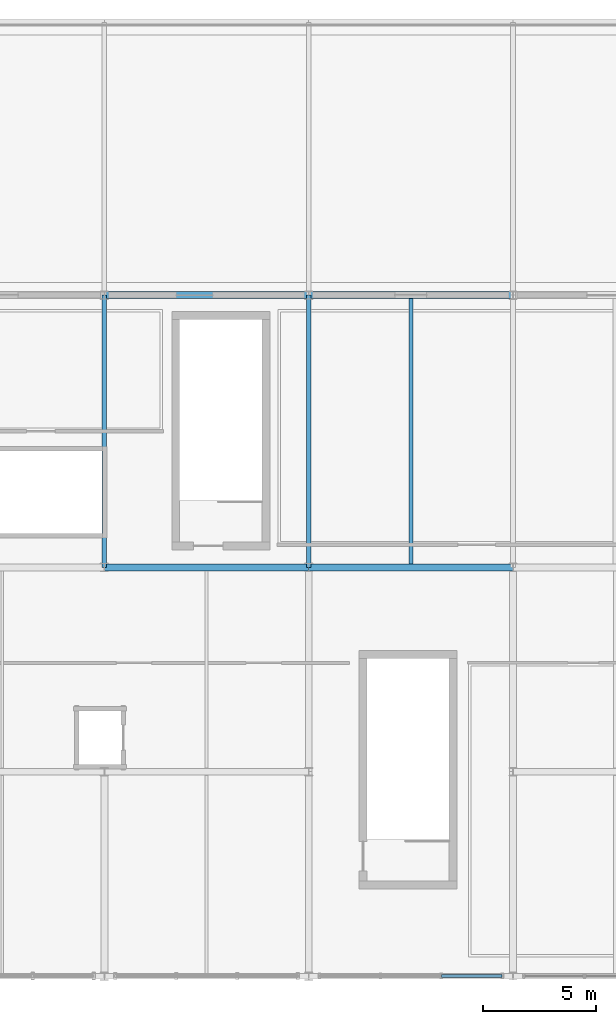
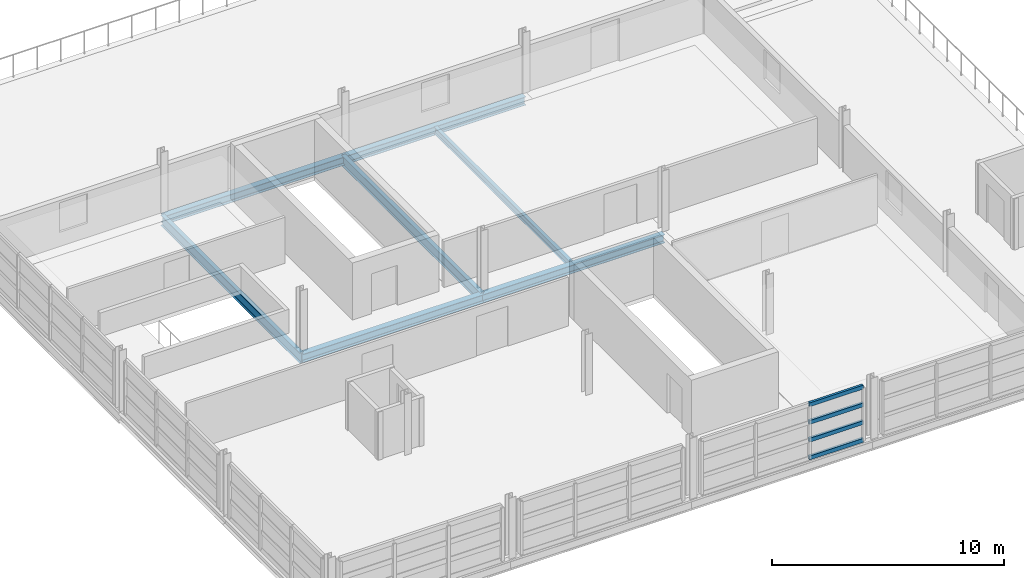
# One storey, part 35 of 86: 7 beams, 4 members, 1 element without a shape of its own.
"""IFC4 building model written with IfcOpenShell, lengths in metres."""

from ifc_helpers import new_model, si_unit, direction, frame, origin, origin_2d, place, context, subcontext, project, spatial, hollow_rectangle, i_section, extrude, material, material_profile, profile_set, type_object, element, aggregate, save


model = new_model("IFC4")

# Units and contexts
model_context = context("Model", 3, precision=1e-05, world=origin(), true_north=direction((0.0, 1.0)))
body_context = subcontext(model_context, "Body", "Model", "MODEL_VIEW")
ifc_project = project(units=[si_unit("LENGTHUNIT", "METRE"), si_unit("AREAUNIT", "SQUARE_METRE"), si_unit("VOLUMEUNIT", "CUBIC_METRE"), si_unit("PLANEANGLEUNIT", "RADIAN"), si_unit("MASSUNIT", "GRAM", prefix="KILO")], contexts=[model_context])

# Site, building, storey
site_placement = place(None, origin())
site = spatial("IfcSite", under=ifc_project, at=site_placement, CompositionType="ELEMENT")
building_placement = place(site_placement, origin())
building = spatial("IfcBuilding", under=site, at=building_placement, Name="Chuanluo Vaults Station", CompositionType="ELEMENT")
storey_placement = place(building_placement, frame((0.0, 0.0, 14.39990234375)))
storey = spatial("IfcBuildingStorey", under=building, at=storey_placement, Name="L03", CompositionType="ELEMENT", Elevation=14.39990234375)

# Beams
ifc_material_1 = material(Name="Steel Q355C", Category="steel")
ifc_material_profile_1 = material_profile(ifc_material_1, i_section(OverallWidth=0.300048828125, OverallDepth=0.43994140625, WebThickness=0.010986328125, FlangeThickness=0.01806640625, FilletRadius=0.02001953125, at=origin_2d()))
ifc_profile_set_1 = profile_set([ifc_material_profile_1], Name="Steel Q355C")
beam_type_1 = type_object("IfcBeamType", Name="BM-GRD-450", PredefinedType="USERDEFINED", material=ifc_profile_set_1)
for number, where, z_axis, x_axis, name in (
    (1, (145.0, 18.0, -0.419921875), (1.0, 0.0, 0.0), (0.0, 1.0, 0.0), "Floor girder BM:GX:L03:0720"),
    (2, (154.0, 18.0, -0.419921875), (1.0, 0.0, 0.0), (0.0, 1.0, 0.0), "Floor girder BM:GX:L03:0721"),
    (3, (145.0, 30.0, -0.449951171875), (1.0, 0.0, 0.0), (0.0, 1.0, 0.0), "Floor girder BM:GX:L03:0725"),
    (4, (154.0, 30.0, -0.449951171875), (1.0, 0.0, 0.0), (0.0, 1.0, 0.0), "Floor girder BM:GX:L03:0726"),
):
    element("IfcBeam", number, at=place(storey_placement, frame(where, z_axis=z_axis, x_axis=x_axis)), inside=storey, type_object=beam_type_1, Name=name, ObjectType="GIRDER", PredefinedType="USERDEFINED", context=body_context, shape_type="SweptSolid", body=[
        extrude(i_section(OverallWidth=0.300048828125, OverallDepth=0.43994140625, WebThickness=0.010986328125, FlangeThickness=0.01806640625, FilletRadius=0.02001953125, at=origin_2d()), origin(), (0.0, 0.0, 1.0), 9.0),
    ])
ifc_material_2 = material(Name="Steel Q355C", Category="steel")
ifc_material_profile_2 = material_profile(ifc_material_2, i_section(OverallWidth=0.199951171875, OverallDepth=0.550048828125, WebThickness=0.010009765625, FlangeThickness=0.01611328125, FilletRadius=0.01806640625, at=origin_2d()))
ifc_profile_set_2 = profile_set([ifc_material_profile_2], Name="Steel Q355C")
beam_type_2 = type_object("IfcBeamType", Name="BM-GRD-550", PredefinedType="USERDEFINED", material=ifc_profile_set_2)
for number, where, z_axis, x_axis, name in (
    (5, (145.0, 18.0, -0.474853515625), (0.0, 1.0, 0.0), (-1.0, 0.0, 0.0), "Floor girder BM:GY:L03:0787"),
    (6, (154.0, 18.0, -0.474853515625), (0.0, 1.0, 0.0), (-1.0, 0.0, 0.0), "Floor girder BM:GY:L03:0797"),
):
    element("IfcBeam", number, at=place(storey_placement, frame(where, z_axis=z_axis, x_axis=x_axis)), inside=storey, type_object=beam_type_2, Name=name, ObjectType="GIRDER", PredefinedType="USERDEFINED", context=body_context, shape_type="SweptSolid", body=[
        extrude(i_section(OverallWidth=0.199951171875, OverallDepth=0.550048828125, WebThickness=0.010009765625, FlangeThickness=0.01611328125, FilletRadius=0.01806640625, at=origin_2d()), origin(), (0.0, 0.0, 1.0), 12.0),
    ])
ifc_material_3 = material(Name="Steel Q355C", Category="steel")
ifc_material_profile_3 = material_profile(ifc_material_3, i_section(OverallWidth=0.175048828125, OverallDepth=0.35009765625, WebThickness=0.007080078125, FlangeThickness=0.010986328125, FilletRadius=0.013916015625, at=origin_2d()))
ifc_profile_set_3 = profile_set([ifc_material_profile_3], Name="Steel Q355C")
beam_type_3 = type_object("IfcBeamType", Name="BM-SEC-350", PredefinedType="JOIST", material=ifc_profile_set_3)
beam_placement = place(storey_placement, frame((158.5, 18.155029296875, -0.375), z_axis=(0.0, 1.0, 0.0), x_axis=(-1.0, 0.0, 0.0)))
element("IfcBeam", 7, at=beam_placement, inside=storey, type_object=beam_type_3, Name="Composite secondary joist 0244", PredefinedType="JOIST", context=body_context, shape_type="SweptSolid", body=[
    extrude(i_section(OverallWidth=0.175048828125, OverallDepth=0.35009765625, WebThickness=0.007080078125, FlangeThickness=0.010986328125, FilletRadius=0.013916015625, at=origin_2d()), origin(), (0.0, 0.0, 1.0), 11.68994140625),
])

# Curtain wall, members
ifc_material_4 = material(Name="Anodised aluminium 6063-T6", Category="aluminium")
curtain_wall_type = type_object("IfcCurtainWallType", Name="CW-SYS-07", PredefinedType="NOTDEFINED", material=ifc_material_4)
curtain_wall_placement = place(storey_placement, origin())
curtain_wall = element("IfcCurtainWall", 8, at=curtain_wall_placement, inside=storey, type_object=curtain_wall_type, Name="Retail pavilion L03 facade CW", PredefinedType="NOTDEFINED")
ifc_material_5 = material(Name="Anodised aluminium 6063-T6", Category="aluminium")
ifc_material_profile_4 = material_profile(ifc_material_5, hollow_rectangle(XDim=0.1201171875, YDim=0.205078125, WallThickness=0.006103515625, at=origin_2d()))
ifc_profile_set_4 = profile_set([ifc_material_profile_4], Name="Anodised aluminium 6063-T6")
member_type = type_object("IfcMemberType", Name="CWT-130", PredefinedType="USERDEFINED", material=ifc_profile_set_4)
member_1_placement = place(storey_placement, frame((162.52490234375, 0.0, 0.0), z_axis=(-1.0, 0.0, 0.0), x_axis=(0.0, -1.0, 0.0)))
member_1 = element("IfcMember", 9, at=member_1_placement, type_object=member_type, Name="Retail pavilion L03 facade CW transom 1.1", ObjectType="TRANSOM", PredefinedType="USERDEFINED", context=body_context, shape_type="SweptSolid", body=[
    extrude(hollow_rectangle(XDim=0.1201171875, YDim=0.205078125, WallThickness=0.006103515625, at=origin_2d()), origin(), (0.0, 0.0, 1.0), 2.68310546875),
])
member_2_placement = place(storey_placement, frame((162.52490234375, 0.0, 0.933349609375), z_axis=(-1.0, 0.0, 0.0), x_axis=(0.0, -1.0, 0.0)))
member_2 = element("IfcMember", 10, at=member_2_placement, type_object=member_type, Name="Retail pavilion L03 facade CW transom 1.2", ObjectType="TRANSOM", PredefinedType="USERDEFINED", context=body_context, shape_type="SweptSolid", body=[
    extrude(hollow_rectangle(XDim=0.1201171875, YDim=0.205078125, WallThickness=0.006103515625, at=origin_2d()), origin(), (0.0, 0.0, 1.0), 2.68310546875),
])
member_3_placement = place(storey_placement, frame((162.52490234375, 0.0, 1.86669921875), z_axis=(-1.0, 0.0, 0.0), x_axis=(0.0, -1.0, 0.0)))
member_3 = element("IfcMember", 11, at=member_3_placement, type_object=member_type, Name="Retail pavilion L03 facade CW transom 1.3", ObjectType="TRANSOM", PredefinedType="USERDEFINED", context=body_context, shape_type="SweptSolid", body=[
    extrude(hollow_rectangle(XDim=0.1201171875, YDim=0.205078125, WallThickness=0.006103515625, at=origin_2d()), origin(), (0.0, 0.0, 1.0), 2.68310546875),
])
member_4_placement = place(storey_placement, frame((162.52490234375, 0.0, 2.800048828125), z_axis=(-1.0, 0.0, 0.0), x_axis=(0.0, -1.0, 0.0)))
member_4 = element("IfcMember", 12, at=member_4_placement, type_object=member_type, Name="Retail pavilion L03 facade CW transom 1.4", ObjectType="TRANSOM", PredefinedType="USERDEFINED", context=body_context, shape_type="SweptSolid", body=[
    extrude(hollow_rectangle(XDim=0.1201171875, YDim=0.205078125, WallThickness=0.006103515625, at=origin_2d()), origin(), (0.0, 0.0, 1.0), 2.68310546875),
])
aggregate(curtain_wall, [member_1, member_2, member_3, member_4])

save(model, "model.ifc")
